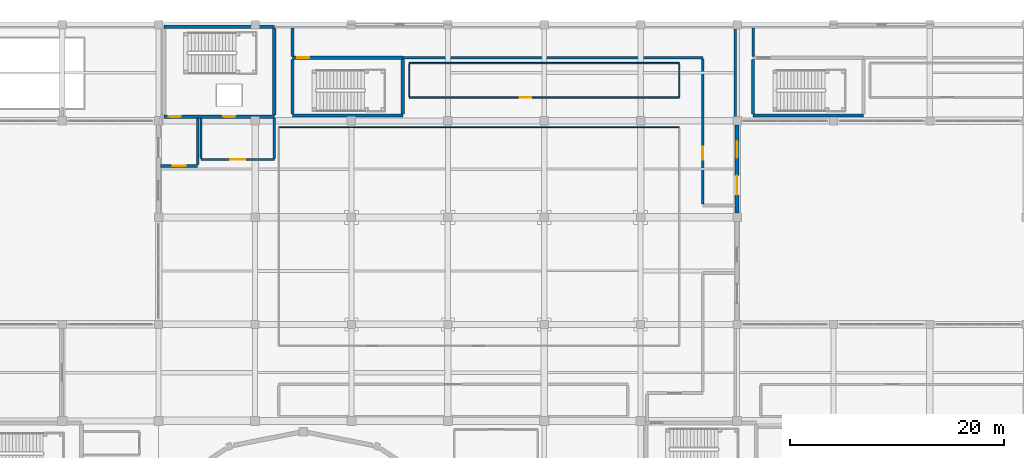
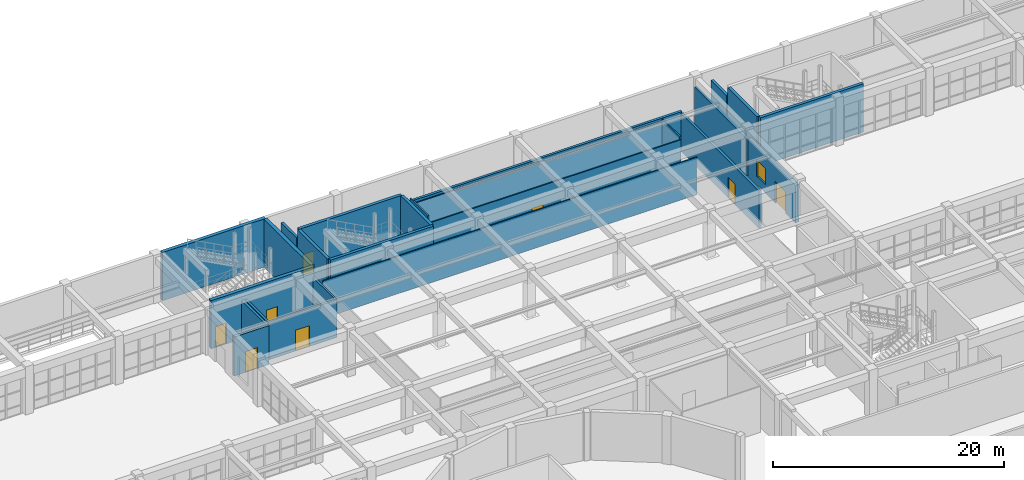
# One storey, part 109 of 128: 25 walls, 8 doors, 1 window, 9 openings.
"""IFC4 building model written with IfcOpenShell, lengths in metres."""

from ifc_helpers import new_model, si_unit, direction, frame, frame_2d, origin, place, context, subcontext, project, spatial, rectangle, extrude, material, layer, layer_set, type_object, element, fill, save


model = new_model("IFC4")

# Units and contexts
model_context = context("Model", 3, precision=1e-05, world=origin(), true_north=direction((0.0, 1.0)))
body_context = subcontext(model_context, "Body", "Model", "MODEL_VIEW")
ifc_project = project(units=[si_unit("LENGTHUNIT", "METRE"), si_unit("AREAUNIT", "SQUARE_METRE"), si_unit("VOLUMEUNIT", "CUBIC_METRE"), si_unit("PLANEANGLEUNIT", "RADIAN"), si_unit("MASSUNIT", "GRAM", prefix="KILO")], contexts=[model_context])

# Site, building, storey
site_placement = place(None, origin())
site = spatial("IfcSite", under=ifc_project, at=site_placement, CompositionType="ELEMENT")
building_placement = place(site_placement, origin())
building = spatial("IfcBuilding", under=site, at=building_placement, Name="Miravela Opera House", CompositionType="ELEMENT")
storey_placement = place(building_placement, origin())
storey = spatial("IfcBuildingStorey", under=building, at=storey_placement, Name="L00", CompositionType="ELEMENT", Elevation=0.0)

# Wall, openings, door, window
ifc_material_1 = material(Name="Dark Guatemalan volcanic basalt stone ashlar", Category="masonry")
ifc_layer_1 = layer(ifc_material_1, 0.360107421875)
ifc_layer_set_1 = layer_set([ifc_layer_1])
wall_type_1 = type_object("IfcWallType", Name="ARC-EW-BASALT-360", PredefinedType="STANDARD", material=ifc_layer_set_1)
wall_1_placement = place(storey_placement, frame((117.0, 94.39990234375, 0.0), z_axis=(0.0, 0.0, 1.0), x_axis=(0.0, 1.0, 0.0)))
wall_1 = element("IfcWall", 1, at=wall_1_placement, inside=storey, type_object=wall_type_1, Name="Stair ST-07 Northeast Court Exit Wall", PredefinedType="STANDARD", context=body_context, shape_type="SweptSolid", body=[
    extrude(rectangle(XDim=8.2001953125, YDim=0.360107421875, at=frame_2d((4.10009765625, 0.0))), origin(), (0.0, 0.0, 1.0), 3.97998046875),
])
opening_1_placement = place(wall_1_placement, frame((1.699951171875, 0.0, 0.0)))
opening_1 = element("IfcOpeningElement", 2, at=opening_1_placement, cuts=wall_1, Name="Opening EX-02", PredefinedType="OPENING", context=body_context, shape_type="SweptSolid", body=[
    extrude(rectangle(XDim=1.800048828125, YDim=2.300048828125, at=frame_2d((0.89990234375, 1.14990234375))), frame((0.0, 0.18994140625, 0.0), z_axis=(0.0, -1.0, 0.0), x_axis=(1.0, 0.0, 0.0)), (0.0, 0.0, 1.0), 0.380126953125),
])
opening_2_placement = place(wall_1_placement, frame((5.14990234375, 0.0, 0.89990234375)))
opening_2 = element("IfcOpeningElement", 3, at=opening_2_placement, cuts=wall_1, Name="Opening W-31", PredefinedType="OPENING", context=body_context, shape_type="SweptSolid", body=[
    extrude(rectangle(XDim=1.56005859375, YDim=1.719970703125, at=frame_2d((0.780029296875, 0.85986328125))), frame((0.0, 0.18994140625, 0.0), z_axis=(0.0, -1.0, 0.0), x_axis=(1.0, 0.0, 0.0)), (0.0, 0.0, 1.0), 0.380126953125),
])
ifc_material_2 = material(Name="Anodised architectural bronze aluminium 6063-T6", Category="aluminium")
door_type_1 = type_object("IfcDoorType", Name="ARC-EXD-1800X2300", OperationType="NOTDEFINED", PredefinedType="DOOR", material=ifc_material_2)
door_1_placement = place(opening_1_placement, frame((1.800048828125, 0.0, 0.0), z_axis=(0.0, 0.0, 1.0), x_axis=(-1.0, 0.0, 0.0)))
door_1 = element("IfcDoor", 4, at=door_1_placement, inside=storey, type_object=door_type_1, Name="Stair ST-07 Northeast Court Exit EXD-L00-027", OperationType="DOUBLE_DOOR_SINGLE_SWING", OverallHeight=2.300048828125, OverallWidth=1.800048828125, PredefinedType="DOOR", context=body_context, shape_type="SweptSolid", body=[
    extrude(rectangle(XDim=1.800048828125, YDim=2.300048828125, at=frame_2d((0.89990234375, 1.14990234375))), frame((0.0, 0.02490234375, 0.0), z_axis=(0.0, -1.0, 0.0), x_axis=(1.0, 0.0, 0.0)), (0.0, 0.0, 1.0), 0.050048828125),
])
fill(opening_1, door_1)
ifc_material_3 = material(Name="Bronze-anodised aluminium and acoustic low-E glass", Category="aluminium")
window_type = type_object("IfcWindowType", Name="ARC-WIN-31", PartitioningType="DOUBLE_PANEL_VERTICAL", PredefinedType="WINDOW", material=ifc_material_3)
window_placement = place(opening_2_placement, origin())
window = element("IfcWindow", 5, at=window_placement, inside=storey, type_object=window_type, Name="Window W-31 #022", OverallHeight=1.719970703125, OverallWidth=1.56005859375, PartitioningType="DOUBLE_PANEL_VERTICAL", PredefinedType="WINDOW", context=body_context, shape_type="SweptSolid", body=[
    extrude(rectangle(XDim=1.56005859375, YDim=1.719970703125, at=frame_2d((0.780029296875, 0.85986328125))), frame((0.0, 0.030029296875, 0.0), z_axis=(0.0, -1.0, 0.0), x_axis=(1.0, 0.0, 0.0)), (0.0, 0.0, 1.0), 0.06005859375),
])
fill(opening_2, window)

# Wall
ifc_material_4 = material(Name="Double-layer acoustic gypsum partition")
ifc_layer_2 = layer(ifc_material_4, 0.110107421875)
ifc_layer_set_2 = layer_set([ifc_layer_2])
wall_type_2 = type_object("IfcWallType", Name="ARC-PT-110", PredefinedType="PARTITIONING", material=ifc_layer_set_2)
wall_2_placement = place(storey_placement, frame((74.199951171875, 102.39990234375, 0.0), z_axis=(0.0, 0.0, 1.0), x_axis=(1.0, 0.0, 0.0)))
element("IfcWall", 6, at=wall_2_placement, inside=storey, type_object=wall_type_2, Name="Production Rehearsal Stage Partition North", PredefinedType="PARTITIONING", context=body_context, shape_type="SweptSolid", body=[
    extrude(rectangle(XDim=37.400146484375, YDim=0.110107421875, at=frame_2d((18.7001953125, 0.0))), origin(), (0.0, 0.0, 1.0), 3.97998046875),
])

# Wall, opening, door
ifc_material_5 = material(Name="Fire-rated acoustic gypsum partition")
ifc_layer_3 = layer(ifc_material_5, 0.1298828125)
ifc_layer_set_3 = layer_set([ifc_layer_3])
wall_type_3 = type_object("IfcWallType", Name="ARC-PT-130", PredefinedType="PARTITIONING", material=ifc_layer_set_3)
wall_3_placement = place(storey_placement, frame((86.39990234375, 105.199951171875, 0.0), z_axis=(0.0, 0.0, 1.0), x_axis=(1.0, 0.0, 0.0)))
wall_3 = element("IfcWall", 7, at=wall_3_placement, inside=storey, type_object=wall_type_3, Name="Percussion and Brass Rehearsal Studio Partition South", PredefinedType="PARTITIONING", context=body_context, shape_type="SweptSolid", body=[
    extrude(rectangle(XDim=25.2001953125, YDim=0.1298828125, at=frame_2d((12.60009765625, 0.0))), origin(), (0.0, 0.0, 1.0), 4.1298828125),
])
opening_3_placement = place(wall_3_placement, frame((10.31396484375, 0.0, 0.0)))
opening_3 = element("IfcOpeningElement", 8, at=opening_3_placement, cuts=wall_3, Name="Opening ID-19", PredefinedType="OPENING", context=body_context, shape_type="SweptSolid", body=[
    extrude(rectangle(XDim=1.080078125, YDim=2.080078125, at=frame_2d((0.5400390625, 1.0400390625))), frame((0.0, 0.074951171875, 0.0), z_axis=(0.0, -1.0, 0.0), x_axis=(1.0, 0.0, 0.0)), (0.0, 0.0, 1.0), 0.14990234375),
])
ifc_material_6 = material(Name="Hardwood acoustic timber door leaf", Category="wood")
door_type_2 = type_object("IfcDoorType", Name="ARC-IDR-108X208", OperationType="NOTDEFINED", PredefinedType="DOOR", material=ifc_material_6)
door_2_placement = place(opening_3_placement, origin())
door_2 = element("IfcDoor", 9, at=door_2_placement, inside=storey, type_object=door_type_2, Name="Percussion and Brass Rehearsal Studio Entry Door IDR-L00-0118", OperationType="SINGLE_SWING_LEFT", OverallHeight=2.080078125, OverallWidth=1.080078125, PredefinedType="DOOR", context=body_context, shape_type="SweptSolid", body=[
    extrude(rectangle(XDim=1.080078125, YDim=2.080078125, at=frame_2d((0.5400390625, 1.0400390625))), frame((0.0, 0.02490234375, 0.0), z_axis=(0.0, -1.0, 0.0), x_axis=(1.0, 0.0, 0.0)), (0.0, 0.0, 1.0), 0.050048828125),
])
fill(opening_3, door_2)

# Walls
wall_4_placement = place(storey_placement, frame((86.39990234375, 108.39990234375, 0.0), z_axis=(0.0, 0.0, 1.0), x_axis=(1.0, 0.0, 0.0)))
element("IfcWall", 10, at=wall_4_placement, inside=storey, type_object=wall_type_3, Name="Percussion and Brass Rehearsal Studio Partition North", PredefinedType="PARTITIONING", context=body_context, shape_type="SweptSolid", body=[
    extrude(rectangle(XDim=25.2001953125, YDim=0.1298828125, at=frame_2d((12.60009765625, 0.0))), origin(), (0.0, 0.0, 1.0), 4.1298828125),
])
wall_5_placement = place(storey_placement, frame((86.39990234375, 105.264892578125, 0.0), z_axis=(0.0, 0.0, 1.0), x_axis=(0.0, 1.0, 0.0)))
element("IfcWall", 11, at=wall_5_placement, inside=storey, type_object=wall_type_3, Name="Percussion and Brass Rehearsal Studio Partition West", PredefinedType="PARTITIONING", context=body_context, shape_type="SweptSolid", body=[
    extrude(rectangle(XDim=3.070068359375, YDim=0.1298828125, at=frame_2d((1.53515625, 0.0))), origin(), (0.0, 0.0, 1.0), 4.85009765625),
])
wall_6_placement = place(storey_placement, frame((111.60009765625, 105.264892578125, 0.0), z_axis=(0.0, 0.0, 1.0), x_axis=(0.0, 1.0, 0.0)))
element("IfcWall", 12, at=wall_6_placement, inside=storey, type_object=wall_type_3, Name="Percussion and Brass Rehearsal Studio Partition East", PredefinedType="PARTITIONING", context=body_context, shape_type="SweptSolid", body=[
    extrude(rectangle(XDim=3.070068359375, YDim=0.1298828125, at=frame_2d((1.53515625, 0.0))), origin(), (0.0, 0.0, 1.0), 4.3701171875),
])

# Wall, opening, door
ifc_material_7 = material(Name="Workshop fire-resisting block partition")
ifc_layer_4 = layer(ifc_material_7, 0.2099609375)
ifc_layer_set_4 = layer_set([ifc_layer_4])
wall_type_4 = type_object("IfcWallType", Name="ARC-PT-210", PredefinedType="PARTITIONING", material=ifc_layer_set_4)
wall_7_placement = place(storey_placement, frame((66.949951171875, 99.39990234375, 0.0), z_axis=(0.0, 0.0, 1.0), x_axis=(1.0, 0.0, 0.0)))
wall_7 = element("IfcWall", 13, at=wall_7_placement, inside=storey, type_object=wall_type_4, Name="Passenger Lift Lobby K5 L00 Partition South", PredefinedType="PARTITIONING", context=body_context, shape_type="SweptSolid", body=[
    extrude(rectangle(XDim=6.85009765625, YDim=0.2099609375, at=frame_2d((3.425048828125, 0.0))), origin(), (0.0, 0.0, 1.0), 3.97998046875),
])
opening_4_placement = place(wall_7_placement, frame((2.72509765625, 0.0, 0.0)))
opening_4 = element("IfcOpeningElement", 14, at=opening_4_placement, cuts=wall_7, Name="Opening FD-03", PredefinedType="OPENING", context=body_context, shape_type="SweptSolid", body=[
    extrude(rectangle(XDim=1.39990234375, YDim=2.199951171875, at=frame_2d((0.699951171875, 1.10009765625))), frame((0.0, 0.114990234375, 0.0), z_axis=(0.0, -1.0, 0.0), x_axis=(1.0, 0.0, 0.0)), (0.0, 0.0, 1.0), 0.22998046875),
])
ifc_material_8 = material(Name="Fire-rated lobby/archive double door")
door_type_3 = type_object("IfcDoorType", Name="ARC-FD-1400X2200", OperationType="NOTDEFINED", PredefinedType="DOOR", material=ifc_material_8)
door_3_placement = place(opening_4_placement, frame((1.39990234375, 0.0, 0.0), z_axis=(0.0, 0.0, 1.0), x_axis=(-1.0, 0.0, 0.0)))
door_3 = element("IfcDoor", 15, at=door_3_placement, inside=storey, type_object=door_type_3, Name="Passenger Lift Lobby K5 L00 Entry Door IDR-L00-0092", OperationType="DOUBLE_DOOR_SINGLE_SWING", OverallHeight=2.199951171875, OverallWidth=1.39990234375, PredefinedType="DOOR", context=body_context, shape_type="SweptSolid", body=[
    extrude(rectangle(XDim=1.39990234375, YDim=2.199951171875, at=frame_2d((0.699951171875, 1.10009765625))), frame((0.0, 0.02490234375, 0.0), z_axis=(0.0, -1.0, 0.0), x_axis=(1.0, 0.0, 0.0)), (0.0, 0.0, 1.0), 0.050048828125),
])
fill(opening_4, door_3)

# Walls
wall_8_placement = place(storey_placement, frame((66.949951171875, 99.5048828125, 0.0), z_axis=(0.0, 0.0, 1.0), x_axis=(0.0, 1.0, 0.0)))
element("IfcWall", 16, at=wall_8_placement, inside=storey, type_object=wall_type_4, Name="Passenger Lift Lobby K5 L00 Partition West", PredefinedType="PARTITIONING", context=body_context, shape_type="SweptSolid", body=[
    extrude(rectangle(XDim=3.7900390625, YDim=0.2099609375, at=frame_2d((1.89501953125, 0.0))), origin(), (0.0, 0.0, 1.0), 4.080078125),
])
wall_9_placement = place(storey_placement, frame((73.800048828125, 99.5048828125, 0.0), z_axis=(0.0, 0.0, 1.0), x_axis=(0.0, 1.0, 0.0)))
element("IfcWall", 17, at=wall_9_placement, inside=storey, type_object=wall_type_4, Name="Passenger Lift Lobby K5 L00 Partition East", PredefinedType="PARTITIONING", context=body_context, shape_type="SweptSolid", body=[
    extrude(rectangle(XDim=3.7900390625, YDim=0.2099609375, at=frame_2d((1.89501953125, 0.0))), origin(), (0.0, 0.0, 1.0), 3.97998046875),
])

# Wall, opening, door
ifc_material_9 = material(Name="Firefighting lobby compartment wall")
ifc_layer_5 = layer(ifc_material_9, 0.25)
ifc_layer_set_5 = layer_set([ifc_layer_5])
wall_type_5 = type_object("IfcWallType", Name="ARC-PT-220", PredefinedType="PARTITIONING", material=ifc_layer_set_5)
wall_10_placement = place(storey_placement, frame((63.179931640625, 98.800048828125, 0.0), z_axis=(0.0, 0.0, 1.0), x_axis=(1.0, 0.0, 0.0)))
wall_10 = element("IfcWall", 18, at=wall_10_placement, inside=storey, type_object=wall_type_5, Name="Protected Exit Passageway ST-05 Partition South", PredefinedType="PARTITIONING", context=body_context, shape_type="SweptSolid", body=[
    extrude(rectangle(XDim=3.469970703125, YDim=0.25, at=frame_2d((1.73486328125, 0.0))), origin(), (0.0, 0.0, 1.0), 4.1298828125),
])
opening_5_placement = place(wall_10_placement, frame((1.135009765625, 0.0, 0.0)))
opening_5 = element("IfcOpeningElement", 19, at=opening_5_placement, cuts=wall_10, Name="Opening FD-02", PredefinedType="OPENING", context=body_context, shape_type="SweptSolid", body=[
    extrude(rectangle(XDim=1.199951171875, YDim=2.199951171875, at=frame_2d((0.60009765625, 1.10009765625))), frame((0.0, 0.135009765625, 0.0), z_axis=(0.0, -1.0, 0.0), x_axis=(1.0, 0.0, 0.0)), (0.0, 0.0, 1.0), 0.27001953125),
])
ifc_material_10 = material(Name="Fire-rated gallery/plant exit door")
door_type_4 = type_object("IfcDoorType", Name="ARC-FD-1200X2200", OperationType="NOTDEFINED", PredefinedType="DOOR", material=ifc_material_10)
door_4_placement = place(opening_5_placement, frame((1.199951171875, 0.0, 0.0), z_axis=(0.0, 0.0, 1.0), x_axis=(-1.0, 0.0, 0.0)))
door_4 = element("IfcDoor", 20, at=door_4_placement, inside=storey, type_object=door_type_4, Name="Protected Exit Passageway ST-05 Concourse Fire Door IDR-L00-0146", OperationType="SINGLE_SWING_RIGHT", OverallHeight=2.199951171875, OverallWidth=1.199951171875, PredefinedType="DOOR", context=body_context, shape_type="SweptSolid", body=[
    extrude(rectangle(XDim=1.199951171875, YDim=2.199951171875, at=frame_2d((0.60009765625, 1.10009765625))), frame((0.0, 0.02490234375, 0.0), z_axis=(0.0, -1.0, 0.0), x_axis=(1.0, 0.0, 0.0)), (0.0, 0.0, 1.0), 0.050048828125),
])
fill(opening_5, door_4)

# Walls
wall_11_placement = place(storey_placement, frame((66.64990234375, 98.925048828125, 0.0), z_axis=(0.0, 0.0, 1.0), x_axis=(0.0, 1.0, 0.0)))
element("IfcWall", 21, at=wall_11_placement, inside=storey, type_object=wall_type_5, Name="Protected Exit Passageway ST-05 Partition East", PredefinedType="PARTITIONING", context=body_context, shape_type="SweptSolid", body=[
    extrude(rectangle(XDim=4.349853515625, YDim=0.25, at=frame_2d((2.1748046875, 0.0))), origin(), (0.0, 0.0, 1.0), 4.080078125),
])
wall_12_placement = place(storey_placement, frame((85.800048828125, 108.89990234375, 0.0), z_axis=(0.0, 0.0, 1.0), x_axis=(1.0, 0.0, 0.0)))
element("IfcWall", 22, at=wall_12_placement, inside=storey, type_object=wall_type_5, Name="Protected Exit Passageway ST-07 Partition Seg1", PredefinedType="PARTITIONING", context=body_context, shape_type="SweptSolid", body=[
    extrude(rectangle(XDim=28.0, YDim=0.25, at=frame_2d((14.0, 0.0))), origin(), (0.0, 0.0, 1.0), 4.1298828125),
])

# Wall, opening, door
wall_13_placement = place(storey_placement, frame((113.800048828125, 108.77490234375, 0.0), z_axis=(0.0, 0.0, 1.0), x_axis=(0.0, -1.0, 0.0)))
wall_13 = element("IfcWall", 23, at=wall_13_placement, inside=storey, type_object=wall_type_5, Name="Protected Exit Passageway ST-07 Partition Seg2", PredefinedType="PARTITIONING", context=body_context, shape_type="SweptSolid", body=[
    extrude(rectangle(XDim=13.5498046875, YDim=0.25, at=frame_2d((6.77490234375, 0.0))), origin(), (0.0, 0.0, 1.0), 3.97998046875),
])
opening_6_placement = place(wall_13_placement, frame((8.199951171875, 0.0, 0.0)))
opening_6 = element("IfcOpeningElement", 24, at=opening_6_placement, cuts=wall_13, Name="Opening FD-02", PredefinedType="OPENING", context=body_context, shape_type="SweptSolid", body=[
    extrude(rectangle(XDim=1.199951171875, YDim=2.199951171875, at=frame_2d((0.60009765625, 1.10009765625))), frame((0.0, 0.135009765625, 0.0), z_axis=(0.0, -1.0, 0.0), x_axis=(1.0, 0.0, 0.0)), (0.0, 0.0, 1.0), 0.27001953125),
])
door_5_placement = place(opening_6_placement, frame((1.199951171875, 0.0, 0.0), z_axis=(0.0, 0.0, 1.0), x_axis=(-1.0, 0.0, 0.0)))
door_5 = element("IfcDoor", 25, at=door_5_placement, inside=storey, type_object=door_type_4, Name="Protected Exit Passageway ST-07 Concourse Fire Door IDR-L00-0147", OperationType="SINGLE_SWING_LEFT", OverallHeight=2.199951171875, OverallWidth=1.199951171875, PredefinedType="DOOR", context=body_context, shape_type="SweptSolid", body=[
    extrude(rectangle(XDim=1.199951171875, YDim=2.199951171875, at=frame_2d((0.60009765625, 1.10009765625))), frame((0.0, 0.02490234375, 0.0), z_axis=(0.0, -1.0, 0.0), x_axis=(1.0, 0.0, 0.0)), (0.0, 0.0, 1.0), 0.050048828125),
])
fill(opening_6, door_5)

# Walls
wall_14_placement = place(storey_placement, frame((116.820068359375, 102.60009765625, 0.0), z_axis=(0.0, 0.0, 1.0), x_axis=(0.0, 1.0, 0.0)))
element("IfcWall", 26, at=wall_14_placement, inside=storey, type_object=wall_type_5, Name="Protected Exit Passageway ST-07 Partition Seg4", PredefinedType="PARTITIONING", context=body_context, shape_type="SweptSolid", body=[
    extrude(rectangle(XDim=9.079833984375, YDim=0.25, at=frame_2d((4.5400390625, 0.0))), origin(), (0.0, 0.0, 1.0), 3.97998046875),
])
for number, where, z_axis, x_axis, name in (
    (27, (75.5, 111.679931640625, 0.0), (0.0, 0.0, 1.0), (0.0, -1.0, 0.0), "Protected Exit Passageway ST-07 Partition Seg6"),
    (28, (118.5, 111.679931640625, 0.0), (0.0, 0.0, 1.0), (0.0, -1.0, 0.0), "Protected Exit Passageway ST-09 Partition Seg5"),
):
    element("IfcWall", number, at=place(storey_placement, frame(where, z_axis=z_axis, x_axis=x_axis)), inside=storey, type_object=wall_type_5, Name=name, PredefinedType="PARTITIONING", context=body_context, shape_type="SweptSolid", body=[
        extrude(rectangle(XDim=2.655029296875, YDim=0.25, at=frame_2d((1.32763671875, 0.0))), origin(), (0.0, 0.0, 1.0), 4.080078125),
    ])

# Wall, openings, doors
ifc_material_11 = material(Name="Concrete C40/50", Category="concrete")
ifc_layer_6 = layer(ifc_material_11, 0.35009765625)
ifc_layer_set_6 = layer_set([ifc_layer_6])
wall_type_6 = type_object("IfcWallType", Name="STR-WALL-CORE-350", PredefinedType="SHEAR", material=ifc_layer_set_6)
wall_15_placement = place(storey_placement, frame((63.5, 103.39990234375, 0.0), z_axis=(0.0, 0.0, 1.0), x_axis=(1.0, 0.0, 0.0)))
wall_15 = element("IfcWall", 29, at=wall_15_placement, inside=storey, type_object=wall_type_6, Name="Core K5 Shear Wall South (L00)", PredefinedType="SHEAR", context=body_context, shape_type="SweptSolid", body=[
    extrude(rectangle(XDim=10.300048828125, YDim=0.35009765625, at=frame_2d((5.14990234375, 0.0))), origin(), (0.0, 0.0, 1.0), 5.10009765625),
])
opening_7_placement = place(wall_15_placement, frame((0.449951171875, 0.0, 0.0)))
opening_7 = element("IfcOpeningElement", 30, at=opening_7_placement, cuts=wall_15, Name="Opening FD-01", PredefinedType="OPENING", context=body_context, shape_type="SweptSolid", body=[
    extrude(rectangle(XDim=1.10009765625, YDim=2.199951171875, at=frame_2d((0.550048828125, 1.10009765625))), frame((0.0, 0.18505859375, 0.0), z_axis=(0.0, -1.0, 0.0), x_axis=(1.0, 0.0, 0.0)), (0.0, 0.0, 1.0), 0.3701171875),
])
opening_8_placement = place(wall_15_placement, frame((5.5400390625, 0.0, 0.0)))
opening_8 = element("IfcOpeningElement", 31, at=opening_8_placement, cuts=wall_15, Name="Opening LD-02", PredefinedType="OPENING", context=body_context, shape_type="SweptSolid", body=[
    extrude(rectangle(XDim=1.1201171875, YDim=2.159912109375, at=frame_2d((0.56005859375, 1.080078125))), frame((0.0, 0.18505859375, 0.0), z_axis=(0.0, -1.0, 0.0), x_axis=(1.0, 0.0, 0.0)), (0.0, 0.0, 1.0), 0.3701171875),
])
ifc_material_12 = material(Name="Fire-rated steel/hardwood exit stair door", Category="steel")
door_type_5 = type_object("IfcDoorType", Name="ARC-FD-1100X2200", OperationType="NOTDEFINED", PredefinedType="DOOR", material=ifc_material_12)
door_6_placement = place(opening_7_placement, origin())
door_6 = element("IfcDoor", 32, at=door_6_placement, inside=storey, type_object=door_type_5, Name="Exit Stair ST-05 Rated Door (L00) IDR-L00-0031", OperationType="SINGLE_SWING_LEFT", OverallHeight=2.199951171875, OverallWidth=1.10009765625, PredefinedType="DOOR", context=body_context, shape_type="SweptSolid", body=[
    extrude(rectangle(XDim=1.10009765625, YDim=2.199951171875, at=frame_2d((0.550048828125, 1.10009765625))), frame((0.0, 0.02490234375, 0.0), z_axis=(0.0, -1.0, 0.0), x_axis=(1.0, 0.0, 0.0)), (0.0, 0.0, 1.0), 0.050048828125),
])
fill(opening_7, door_6)
ifc_material_13 = material(Name="Brushed stainless and bronze fire-rated lift landing door")
door_type_6 = type_object("IfcDoorType", Name="ARC-LD-PAX-1100X2150", OperationType="SLIDING_TO_LEFT", PredefinedType="DOOR", material=ifc_material_13)
door_7_placement = place(opening_8_placement, origin())
door_7 = element("IfcDoor", 33, at=door_7_placement, inside=storey, type_object=door_type_6, Name="Lift Landing Door PL-04 (L00)", OperationType="SLIDING_TO_LEFT", OverallHeight=2.159912109375, OverallWidth=1.1201171875, PredefinedType="DOOR", context=body_context, shape_type="SweptSolid", body=[
    extrude(rectangle(XDim=1.1201171875, YDim=2.159912109375, at=frame_2d((0.56005859375, 1.080078125))), frame((0.0, 0.02490234375, 0.0), z_axis=(0.0, -1.0, 0.0), x_axis=(1.0, 0.0, 0.0)), (0.0, 0.0, 1.0), 0.050048828125),
])
fill(opening_8, door_7)

# Walls
wall_16_placement = place(storey_placement, frame((63.5, 111.800048828125, 0.0), z_axis=(0.0, 0.0, 1.0), x_axis=(1.0, 0.0, 0.0)))
element("IfcWall", 34, at=wall_16_placement, inside=storey, type_object=wall_type_6, Name="Core K5 Shear Wall North (L00)", PredefinedType="SHEAR", context=body_context, shape_type="SweptSolid", body=[
    extrude(rectangle(XDim=10.300048828125, YDim=0.35009765625, at=frame_2d((5.14990234375, 0.0))), origin(), (0.0, 0.0, 1.0), 5.10009765625),
])
wall_17_placement = place(storey_placement, frame((73.800048828125, 103.574951171875, 0.0), z_axis=(0.0, 0.0, 1.0), x_axis=(0.0, 1.0, 0.0)))
element("IfcWall", 35, at=wall_17_placement, inside=storey, type_object=wall_type_6, Name="Core K5 Shear Wall East (L00)", PredefinedType="SHEAR", context=body_context, shape_type="SweptSolid", body=[
    extrude(rectangle(XDim=8.050048828125, YDim=0.35009765625, at=frame_2d((4.02490234375, 0.0))), origin(), (0.0, 0.0, 1.0), 5.10009765625),
])
ifc_material_14 = material(Name="Concrete C35/45", Category="concrete")
ifc_layer_7 = layer(ifc_material_14, 0.300048828125)
ifc_layer_set_7 = layer_set([ifc_layer_7])
wall_type_7 = type_object("IfcWallType", Name="STR-WALL-WING-300", PredefinedType="SHEAR", material=ifc_layer_set_7)
wall_18_placement = place(storey_placement, frame((75.5, 103.5, 0.0), z_axis=(0.0, 0.0, 1.0), x_axis=(1.0, 0.0, 0.0)))
element("IfcWall", 36, at=wall_18_placement, inside=storey, type_object=wall_type_7, Name="Core ST-07 Shear Wall South (L00)", PredefinedType="SHEAR", context=body_context, shape_type="SweptSolid", body=[
    extrude(rectangle(XDim=10.300048828125, YDim=0.300048828125, at=frame_2d((5.14990234375, 0.0))), origin(), (0.0, 0.0, 1.0), 5.10009765625),
])

# Wall, opening, door
wall_19_placement = place(storey_placement, frame((75.5, 108.89990234375, 0.0), z_axis=(0.0, 0.0, 1.0), x_axis=(1.0, 0.0, 0.0)))
wall_19 = element("IfcWall", 37, at=wall_19_placement, inside=storey, type_object=wall_type_7, Name="Core ST-07 Shear Wall North (L00)", PredefinedType="SHEAR", context=body_context, shape_type="SweptSolid", body=[
    extrude(rectangle(XDim=10.300048828125, YDim=0.300048828125, at=frame_2d((5.14990234375, 0.0))), origin(), (0.0, 0.0, 1.0), 5.10009765625),
])
opening_9_placement = place(wall_19_placement, frame((0.449951171875, 0.0, 0.0)))
opening_9 = element("IfcOpeningElement", 38, at=opening_9_placement, cuts=wall_19, Name="Opening FD-01", PredefinedType="OPENING", context=body_context, shape_type="SweptSolid", body=[
    extrude(rectangle(XDim=1.10009765625, YDim=2.199951171875, at=frame_2d((0.550048828125, 1.10009765625))), frame((0.0, 0.159912109375, 0.0), z_axis=(0.0, -1.0, 0.0), x_axis=(1.0, 0.0, 0.0)), (0.0, 0.0, 1.0), 0.320068359375),
])
door_8_placement = place(opening_9_placement, frame((1.10009765625, 0.0, 0.0), z_axis=(0.0, 0.0, 1.0), x_axis=(-1.0, 0.0, 0.0)))
door_8 = element("IfcDoor", 39, at=door_8_placement, inside=storey, type_object=door_type_5, Name="Exit Stair ST-07 Rated Door (L00) IDR-L00-0042", OperationType="SINGLE_SWING_RIGHT", OverallHeight=2.199951171875, OverallWidth=1.10009765625, PredefinedType="DOOR", context=body_context, shape_type="SweptSolid", body=[
    extrude(rectangle(XDim=1.10009765625, YDim=2.199951171875, at=frame_2d((0.550048828125, 1.10009765625))), frame((0.0, 0.02490234375, 0.0), z_axis=(0.0, -1.0, 0.0), x_axis=(1.0, 0.0, 0.0)), (0.0, 0.0, 1.0), 0.050048828125),
])
fill(opening_9, door_8)

# Walls
for number, where, z_axis, x_axis, name in (
    (40, (75.5, 103.64990234375, 0.0), (0.0, 0.0, 1.0), (0.0, 1.0, 0.0), "Core ST-07 Shear Wall West (L00)"),
    (41, (85.800048828125, 103.64990234375, 0.0), (0.0, 0.0, 1.0), (0.0, 1.0, 0.0), "Core ST-07 Shear Wall East (L00)"),
):
    element("IfcWall", number, at=place(storey_placement, frame(where, z_axis=z_axis, x_axis=x_axis)), inside=storey, type_object=wall_type_7, Name=name, PredefinedType="SHEAR", context=body_context, shape_type="SweptSolid", body=[
        extrude(rectangle(XDim=5.10009765625, YDim=0.300048828125, at=frame_2d((2.550048828125, 0.0))), origin(), (0.0, 0.0, 1.0), 5.10009765625),
    ])
wall_20_placement = place(storey_placement, frame((118.5, 103.5, 0.0), z_axis=(0.0, 0.0, 1.0), x_axis=(1.0, 0.0, 0.0)))
element("IfcWall", 42, at=wall_20_placement, inside=storey, type_object=wall_type_7, Name="Core ST-09 Shear Wall South (L00)", PredefinedType="SHEAR", context=body_context, shape_type="SweptSolid", body=[
    extrude(rectangle(XDim=10.300048828125, YDim=0.300048828125, at=frame_2d((5.14990234375, 0.0))), origin(), (0.0, 0.0, 1.0), 5.10009765625),
])
wall_21_placement = place(storey_placement, frame((118.5, 103.64990234375, 0.0), z_axis=(0.0, 0.0, 1.0), x_axis=(0.0, 1.0, 0.0)))
element("IfcWall", 43, at=wall_21_placement, inside=storey, type_object=wall_type_7, Name="Core ST-09 Shear Wall West (L00)", PredefinedType="SHEAR", context=body_context, shape_type="SweptSolid", body=[
    extrude(rectangle(XDim=5.10009765625, YDim=0.300048828125, at=frame_2d((2.550048828125, 0.0))), origin(), (0.0, 0.0, 1.0), 5.10009765625),
])

save(model, "model.ifc")
